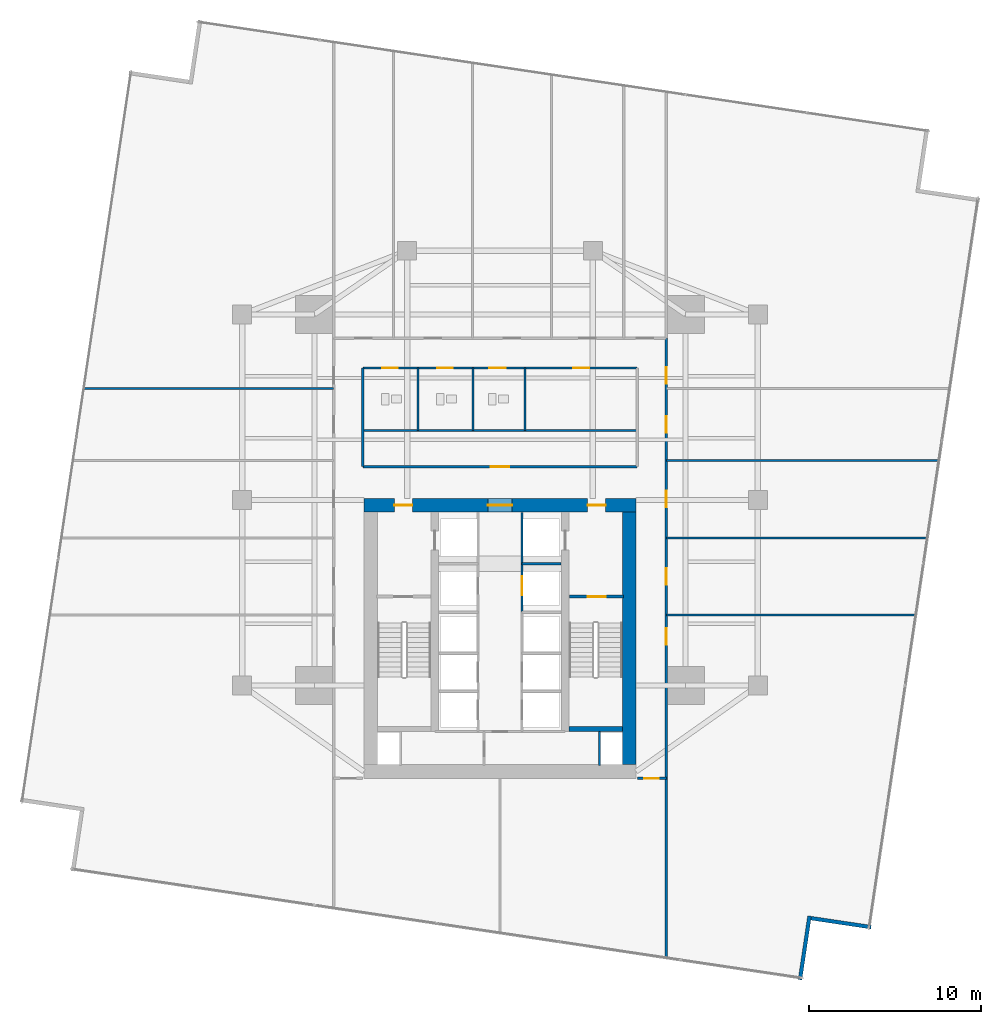
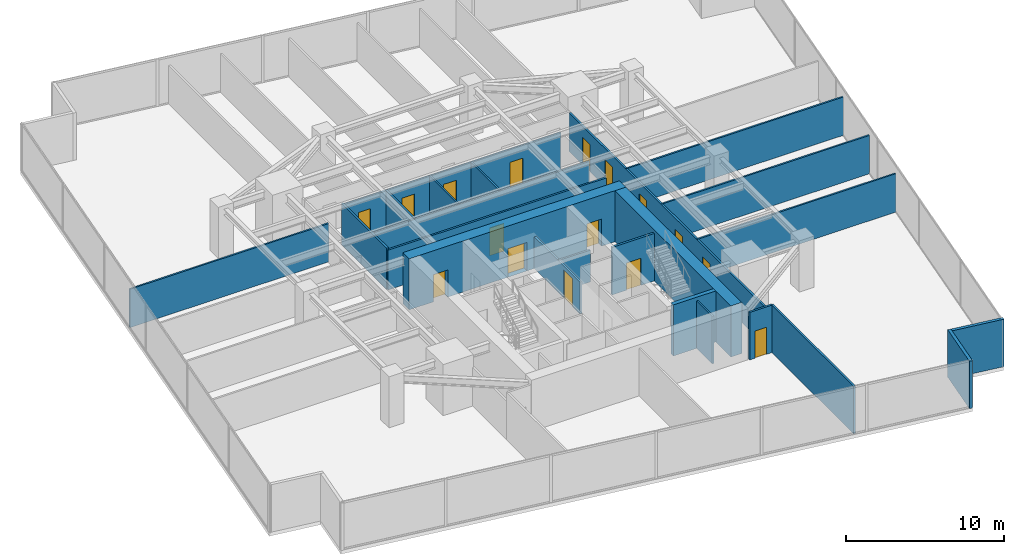
# One storey, part 26 of 29: 23 walls, 16 doors, 16 openings.
"""IFC4 building model written with IfcOpenShell, lengths in metres."""

from ifc_helpers import new_model, si_unit, direction, frame, frame_2d, origin, place, context, subcontext, project, spatial, rectangle, extrude, material, layer, layer_set, type_object, element, fill, save


model = new_model("IFC4")

# Units and contexts
model_context = context("Model", 3, precision=1e-05, world=origin(), true_north=direction((0.0, 1.0)))
body_context = subcontext(model_context, "Body", "Model", "MODEL_VIEW")
ifc_project = project(units=[si_unit("LENGTHUNIT", "METRE"), si_unit("AREAUNIT", "SQUARE_METRE"), si_unit("VOLUMEUNIT", "CUBIC_METRE"), si_unit("PLANEANGLEUNIT", "RADIAN"), si_unit("MASSUNIT", "GRAM", prefix="KILO")], contexts=[model_context])

# Site, building, storey
site_placement = place(None, origin())
site = spatial("IfcSite", under=ifc_project, at=site_placement, CompositionType="ELEMENT")
building_placement = place(site_placement, origin())
building = spatial("IfcBuilding", under=site, at=building_placement, Name="Krantzveldt Concourse Tower", CompositionType="ELEMENT")
storey_placement = place(building_placement, frame((0.0, 0.0, 68.449951171875)))
storey = spatial("IfcBuildingStorey", under=building, at=storey_placement, Name="L16", CompositionType="ELEMENT", Elevation=68.449951171875)

# Walls
ifc_material_1 = material(Name="Anodised aluminium 6063-T6", Category="aluminium")
ifc_layer_1 = layer(ifc_material_1, 0.219970703125, Name="Anodised aluminium 6063-T6", Category="aluminium")
ifc_layer_set_1 = layer_set([ifc_layer_1], Name="Anodised aluminium 6063-T6 (WL-EXT-NOTCH220)")
wall_type_1 = type_object("IfcWallType", Name="WL-EXT-NOTCH220", PredefinedType="ELEMENTEDWALL", material=ifc_layer_set_1)
wall_1_placement = place(storey_placement, frame((53.4560546875, -1.211669921875, 0.0), z_axis=(0.0, 0.0, 1.0), x_axis=(0.147852699435, 0.989009392913, 0.0)))
element("IfcWall", 1, at=wall_1_placement, inside=storey, type_object=wall_type_1, Name="EW-L16-NCH05", PredefinedType="ELEMENTEDWALL", context=body_context, shape_type="SweptSolid", body=[
    extrude(rectangle(XDim=3.7451171875, YDim=0.219970703125, at=frame_2d((1.87255859375, 0.0))), origin(), (0.0, 0.0, 1.0), 3.670166015625),
])
wall_2_placement = place(storey_placement, frame((54.102294921875, 2.366943359375, 0.0), z_axis=(0.0, 0.0, 1.0), x_axis=(0.989015973204, -0.147808676155, 0.0)))
element("IfcWall", 2, at=wall_2_placement, inside=storey, type_object=wall_type_1, Name="EW-L16-NCH06", PredefinedType="ELEMENTEDWALL", context=body_context, shape_type="SweptSolid", body=[
    extrude(rectangle(XDim=3.52490234375, YDim=0.219970703125, at=frame_2d((1.762451171875, 0.0))), origin(), (0.0, 0.0, 1.0), 3.670166015625),
])
ifc_material_2 = material(Name="Fire-rated gypsum plasterboard on steel stud", Category="steel")
ifc_layer_2 = layer(ifc_material_2, 0.1201171875, Name="Fire-rated gypsum plasterboard on steel stud", Category="steel")
ifc_layer_set_2 = layer_set([ifc_layer_2], Name="Fire-rated gypsum plasterboard on steel stud (WL-PART-120)")
wall_type_2 = type_object("IfcWallType", Name="WL-PART-120", PredefinedType="PARTITIONING", material=ifc_layer_set_2)
wall_3_placement = place(storey_placement, frame((28.02001953125, 30.739990234375, 0.0), z_axis=(0.0, 0.0, 1.0), x_axis=(1.0, 0.0, 0.0)))
element("IfcWall", 3, at=wall_3_placement, inside=storey, type_object=wall_type_2, Name="WP-L16-ISLM", PredefinedType="PARTITIONING", context=body_context, shape_type="SweptSolid", body=[
    extrude(rectangle(XDim=15.9599609375, YDim=0.1201171875, at=frame_2d((7.97998046875, 0.0))), origin(), (0.0, 0.0, 1.0), 3.080078125),
])
for number, where, z_axis, x_axis, name in (
    (4, (31.219970703125, 30.739990234375, 0.0), (0.0, 0.0, 1.0), (0.0, 1.0, 0.0), "WP-L16-WCD1"),
    (5, (34.419921875, 30.739990234375, 0.0), (0.0, 0.0, 1.0), (0.0, 1.0, 0.0), "WP-L16-WCD2"),
    (6, (37.449951171875, 30.739990234375, 0.0), (0.0, 0.0, 1.0), (0.0, 1.0, 0.0), "WP-L16-WCD3"),
):
    element("IfcWall", number, at=place(storey_placement, frame(where, z_axis=z_axis, x_axis=x_axis)), inside=storey, type_object=wall_type_2, Name=name, PredefinedType="PARTITIONING", context=body_context, shape_type="SweptSolid", body=[
        extrude(rectangle(XDim=3.639892578125, YDim=0.1201171875, at=frame_2d((1.81982421875, 0.0))), origin(), (0.0, 0.0, 1.0), 3.1201171875),
    ])
wall_4_placement = place(storey_placement, frame((11.784912109375, 33.199951171875, 0.0), z_axis=(0.0, 0.0, 1.0), x_axis=(1.0, 0.0, 0.0)))
element("IfcWall", 7, at=wall_4_placement, inside=storey, type_object=wall_type_2, Name="WP-L16-WD4", PredefinedType="PARTITIONING", context=body_context, shape_type="SweptSolid", body=[
    extrude(rectangle(XDim=14.53515625, YDim=0.1201171875, at=frame_2d((7.267578125, 0.0))), origin(), (0.0, 0.0, 1.0), 2.969970703125),
])
wall_5_placement = place(storey_placement, frame((45.679931640625, 20.0, 0.0), z_axis=(0.0, 0.0, 1.0), x_axis=(1.0, 0.0, 0.0)))
element("IfcWall", 8, at=wall_5_placement, inside=storey, type_object=wall_type_2, Name="WP-L16-ED1", PredefinedType="PARTITIONING", context=body_context, shape_type="SweptSolid", body=[
    extrude(rectangle(XDim=14.50537109375, YDim=0.1201171875, at=frame_2d((7.252685546875, 0.0))), origin(), (0.0, 0.0, 1.0), 2.969970703125),
])
wall_6_placement = place(storey_placement, frame((45.679931640625, 24.5, 0.0), z_axis=(0.0, 0.0, 1.0), x_axis=(1.0, 0.0, 0.0)))
element("IfcWall", 9, at=wall_6_placement, inside=storey, type_object=wall_type_2, Name="WP-L16-ED2", PredefinedType="PARTITIONING", context=body_context, shape_type="SweptSolid", body=[
    extrude(rectangle(XDim=15.177978515625, YDim=0.1201171875, at=frame_2d((7.5888671875, 0.0))), origin(), (0.0, 0.0, 1.0), 2.969970703125),
])
wall_7_placement = place(storey_placement, frame((45.679931640625, 29.0, 0.0), z_axis=(0.0, 0.0, 1.0), x_axis=(1.0, 0.0, 0.0)))
element("IfcWall", 10, at=wall_7_placement, inside=storey, type_object=wall_type_2, Name="WP-L16-ED3", PredefinedType="PARTITIONING", context=body_context, shape_type="SweptSolid", body=[
    extrude(rectangle(XDim=15.8505859375, YDim=0.1201171875, at=frame_2d((7.92529296875, 0.0))), origin(), (0.0, 0.0, 1.0), 2.969970703125),
])

# Wall, opening, door
ifc_layer_3 = layer(ifc_material_2, 0.139892578125, Name="Fire-rated gypsum plasterboard on steel stud", Category="steel")
ifc_layer_set_3 = layer_set([ifc_layer_3], Name="Fire-rated gypsum plasterboard on steel stud (WL-PART-140)")
wall_type_3 = type_object("IfcWallType", Name="WL-PART-140", PredefinedType="PARTITIONING", material=ifc_layer_set_3)
wall_8_placement = place(storey_placement, frame((28.02001953125, 28.639892578125, 0.0), z_axis=(0.0, 0.0, 1.0), x_axis=(1.0, 0.0, 0.0)))
wall_8 = element("IfcWall", 11, at=wall_8_placement, inside=storey, type_object=wall_type_3, Name="WP-L16-ISLS", PredefinedType="PARTITIONING", context=body_context, shape_type="SweptSolid", body=[
    extrude(rectangle(XDim=15.9599609375, YDim=0.139892578125, at=frame_2d((7.97998046875, 0.0))), origin(), (0.0, 0.0, 1.0), 3.080078125),
])
opening_1_placement = place(wall_8_placement, frame((7.455078125, 0.0, 0.0)))
opening_1 = element("IfcOpeningElement", 12, at=opening_1_placement, cuts=wall_8, Name="Opening D-IN105", PredefinedType="OPENING", context=body_context, shape_type="SweptSolid", body=[
    extrude(rectangle(XDim=1.050048828125, YDim=2.14990234375, at=frame_2d((0.52490234375, 1.074951171875))), frame((0.0, 0.080078125, 0.0), z_axis=(0.0, -1.0, 0.0), x_axis=(1.0, 0.0, 0.0)), (0.0, 0.0, 1.0), 0.159912109375),
])
ifc_material_3 = material(Name="Hardwood timber", Category="wood")
door_type_1 = type_object("IfcDoorType", Name="DR-INT-1050", OperationType="SINGLE_SWING_LEFT", PredefinedType="DOOR", material=ifc_material_3)
door_1_placement = place(opening_1_placement, origin())
door_1 = element("IfcDoor", 13, at=door_1_placement, inside=storey, type_object=door_type_1, Name="DR-L16-MIDB", OperationType="SINGLE_SWING_LEFT", OverallHeight=2.14990234375, OverallWidth=1.050048828125, PredefinedType="DOOR", context=body_context, shape_type="SweptSolid", body=[
    extrude(rectangle(XDim=1.050048828125, YDim=2.14990234375, at=frame_2d((0.52490234375, 1.074951171875))), frame((0.0, 0.02490234375, 0.0), z_axis=(0.0, -1.0, 0.0), x_axis=(1.0, 0.0, 0.0)), (0.0, 0.0, 1.0), 0.050048828125),
])
fill(opening_1, door_1)

# Wall, openings, doors
wall_9_placement = place(storey_placement, frame((28.02001953125, 34.3798828125, 0.0), z_axis=(0.0, 0.0, 1.0), x_axis=(1.0, 0.0, 0.0)))
wall_9 = element("IfcWall", 14, at=wall_9_placement, inside=storey, type_object=wall_type_3, Name="WP-L16-ISLN", PredefinedType="PARTITIONING", context=body_context, shape_type="SweptSolid", body=[
    extrude(rectangle(XDim=15.9599609375, YDim=0.139892578125, at=frame_2d((7.97998046875, 0.0))), origin(), (0.0, 0.0, 1.0), 3.080078125),
])
opening_2_placement = place(wall_9_placement, frame((1.1298828125, 0.0, 0.0)))
opening_2 = element("IfcOpeningElement", 15, at=opening_2_placement, cuts=wall_9, Name="Opening D-IN090", PredefinedType="OPENING", context=body_context, shape_type="SweptSolid", body=[
    extrude(rectangle(XDim=0.89990234375, YDim=2.10009765625, at=frame_2d((0.449951171875, 1.050048828125))), frame((0.0, 0.080078125, 0.0), z_axis=(0.0, -1.0, 0.0), x_axis=(1.0, 0.0, 0.0)), (0.0, 0.0, 1.0), 0.159912109375),
])
opening_3_placement = place(wall_9_placement, frame((4.330078125, 0.0, 0.0)))
opening_3 = element("IfcOpeningElement", 16, at=opening_3_placement, cuts=wall_9, Name="Opening D-IN090", PredefinedType="OPENING", context=body_context, shape_type="SweptSolid", body=[
    extrude(rectangle(XDim=0.89990234375, YDim=2.10009765625, at=frame_2d((0.449951171875, 1.050048828125))), frame((0.0, 0.080078125, 0.0), z_axis=(0.0, -1.0, 0.0), x_axis=(1.0, 0.0, 0.0)), (0.0, 0.0, 1.0), 0.159912109375),
])
opening_4_placement = place(wall_9_placement, frame((7.35498046875, 0.0, 0.0)))
opening_4 = element("IfcOpeningElement", 17, at=opening_4_placement, cuts=wall_9, Name="Opening D-IN095", PredefinedType="OPENING", context=body_context, shape_type="SweptSolid", body=[
    extrude(rectangle(XDim=0.949951171875, YDim=2.10009765625, at=frame_2d((0.47509765625, 1.050048828125))), frame((0.0, 0.080078125, 0.0), z_axis=(0.0, -1.0, 0.0), x_axis=(1.0, 0.0, 0.0)), (0.0, 0.0, 1.0), 0.159912109375),
])
opening_5_placement = place(wall_9_placement, frame((12.22998046875, 0.0, 0.0)))
opening_5 = element("IfcOpeningElement", 18, at=opening_5_placement, cuts=wall_9, Name="Opening D-IN095", PredefinedType="OPENING", context=body_context, shape_type="SweptSolid", body=[
    extrude(rectangle(XDim=0.949951171875, YDim=2.10009765625, at=frame_2d((0.47509765625, 1.050048828125))), frame((0.0, 0.080078125, 0.0), z_axis=(0.0, -1.0, 0.0), x_axis=(1.0, 0.0, 0.0)), (0.0, 0.0, 1.0), 0.159912109375),
])
door_type_2 = type_object("IfcDoorType", Name="DR-INT-900", OperationType="SINGLE_SWING_LEFT", PredefinedType="DOOR", material=ifc_material_3)
door_2_placement = place(opening_2_placement, origin())
door_2 = element("IfcDoor", 19, at=door_2_placement, inside=storey, type_object=door_type_2, Name="DR-L16-WCM", OperationType="SINGLE_SWING_LEFT", OverallHeight=2.10009765625, OverallWidth=0.89990234375, PredefinedType="DOOR", context=body_context, shape_type="SweptSolid", body=[
    extrude(rectangle(XDim=0.89990234375, YDim=2.10009765625, at=frame_2d((0.449951171875, 1.050048828125))), frame((0.0, 0.02490234375, 0.0), z_axis=(0.0, -1.0, 0.0), x_axis=(1.0, 0.0, 0.0)), (0.0, 0.0, 1.0), 0.050048828125),
])
fill(opening_2, door_2)
door_3_placement = place(opening_3_placement, origin())
door_3 = element("IfcDoor", 20, at=door_3_placement, inside=storey, type_object=door_type_2, Name="DR-L16-WCF", OperationType="SINGLE_SWING_RIGHT", OverallHeight=2.10009765625, OverallWidth=0.89990234375, PredefinedType="DOOR", context=body_context, shape_type="SweptSolid", body=[
    extrude(rectangle(XDim=0.89990234375, YDim=2.10009765625, at=frame_2d((0.449951171875, 1.050048828125))), frame((0.0, 0.02490234375, 0.0), z_axis=(0.0, -1.0, 0.0), x_axis=(1.0, 0.0, 0.0)), (0.0, 0.0, 1.0), 0.050048828125),
])
fill(opening_3, door_3)
door_type_3 = type_object("IfcDoorType", Name="DR-INT-950", OperationType="SINGLE_SWING_LEFT", PredefinedType="DOOR", material=ifc_material_3)
door_4_placement = place(opening_4_placement, origin())
door_4 = element("IfcDoor", 21, at=door_4_placement, inside=storey, type_object=door_type_3, Name="DR-L16-WCA", OperationType="SINGLE_SWING_LEFT", OverallHeight=2.10009765625, OverallWidth=0.949951171875, PredefinedType="DOOR", context=body_context, shape_type="SweptSolid", body=[
    extrude(rectangle(XDim=0.949951171875, YDim=2.10009765625, at=frame_2d((0.47509765625, 1.050048828125))), frame((0.0, 0.02490234375, 0.0), z_axis=(0.0, -1.0, 0.0), x_axis=(1.0, 0.0, 0.0)), (0.0, 0.0, 1.0), 0.050048828125),
])
fill(opening_4, door_4)
door_5_placement = place(opening_5_placement, origin())
door_5 = element("IfcDoor", 22, at=door_5_placement, inside=storey, type_object=door_type_3, Name="DR-L16-PNT", OperationType="SINGLE_SWING_RIGHT", OverallHeight=2.10009765625, OverallWidth=0.949951171875, PredefinedType="DOOR", context=body_context, shape_type="SweptSolid", body=[
    extrude(rectangle(XDim=0.949951171875, YDim=2.10009765625, at=frame_2d((0.47509765625, 1.050048828125))), frame((0.0, 0.02490234375, 0.0), z_axis=(0.0, -1.0, 0.0), x_axis=(1.0, 0.0, 0.0)), (0.0, 0.0, 1.0), 0.050048828125),
])
fill(opening_5, door_5)

# Wall
wall_10_placement = place(storey_placement, frame((28.02001953125, 28.639892578125, 0.0), z_axis=(0.0, 0.0, 1.0), x_axis=(0.0, 1.0, 0.0)))
element("IfcWall", 23, at=wall_10_placement, inside=storey, type_object=wall_type_3, Name="WP-L16-ISLW", PredefinedType="PARTITIONING", context=body_context, shape_type="SweptSolid", body=[
    extrude(rectangle(XDim=5.739990234375, YDim=0.139892578125, at=frame_2d((2.8701171875, 0.0))), origin(), (0.0, 0.0, 1.0), 3.219970703125),
])

# Wall, openings, doors
wall_11_placement = place(storey_placement, frame((45.679931640625, 10.5, 0.0), z_axis=(0.0, 0.0, 1.0), x_axis=(0.0, 1.0, 0.0)))
wall_11 = element("IfcWall", 24, at=wall_11_placement, inside=storey, type_object=wall_type_3, Name="WP-L16-CEAST", PredefinedType="PARTITIONING", context=body_context, shape_type="SweptSolid", body=[
    extrude(rectangle(XDim=25.6201171875, YDim=0.139892578125, at=frame_2d((12.81005859375, 0.0))), origin(), (0.0, 0.0, 1.0), 2.969970703125),
])
opening_6_placement = place(wall_11_placement, frame((7.77490234375, 0.0, 0.0)))
opening_6 = element("IfcOpeningElement", 25, at=opening_6_placement, cuts=wall_11, Name="Opening D-IN095", PredefinedType="OPENING", context=body_context, shape_type="SweptSolid", body=[
    extrude(rectangle(XDim=0.949951171875, YDim=2.10009765625, at=frame_2d((0.47509765625, 1.050048828125))), frame((0.0, 0.080078125, 0.0), z_axis=(0.0, -1.0, 0.0), x_axis=(1.0, 0.0, 0.0)), (0.0, 0.0, 1.0), 0.159912109375),
])
opening_7_placement = place(wall_11_placement, frame((11.27490234375, 0.0, 0.0)))
opening_7 = element("IfcOpeningElement", 26, at=opening_7_placement, cuts=wall_11, Name="Opening D-IN095", PredefinedType="OPENING", context=body_context, shape_type="SweptSolid", body=[
    extrude(rectangle(XDim=0.949951171875, YDim=2.10009765625, at=frame_2d((0.47509765625, 1.050048828125))), frame((0.0, 0.080078125, 0.0), z_axis=(0.0, -1.0, 0.0), x_axis=(1.0, 0.0, 0.0)), (0.0, 0.0, 1.0), 0.159912109375),
])
opening_8_placement = place(wall_11_placement, frame((15.77490234375, 0.0, 0.0)))
opening_8 = element("IfcOpeningElement", 27, at=opening_8_placement, cuts=wall_11, Name="Opening D-IN095", PredefinedType="OPENING", context=body_context, shape_type="SweptSolid", body=[
    extrude(rectangle(XDim=0.949951171875, YDim=2.10009765625, at=frame_2d((0.47509765625, 1.050048828125))), frame((0.0, 0.080078125, 0.0), z_axis=(0.0, -1.0, 0.0), x_axis=(1.0, 0.0, 0.0)), (0.0, 0.0, 1.0), 0.159912109375),
])
opening_9_placement = place(wall_11_placement, frame((20.125, 0.0, 0.0)))
opening_9 = element("IfcOpeningElement", 28, at=opening_9_placement, cuts=wall_11, Name="Opening D-IN095", PredefinedType="OPENING", context=body_context, shape_type="SweptSolid", body=[
    extrude(rectangle(XDim=0.949951171875, YDim=2.10009765625, at=frame_2d((0.47509765625, 1.050048828125))), frame((0.0, 0.080078125, 0.0), z_axis=(0.0, -1.0, 0.0), x_axis=(1.0, 0.0, 0.0)), (0.0, 0.0, 1.0), 0.159912109375),
])
opening_10_placement = place(wall_11_placement, frame((22.97509765625, 0.0, 0.0)))
opening_10 = element("IfcOpeningElement", 29, at=opening_10_placement, cuts=wall_11, Name="Opening D-IN095", PredefinedType="OPENING", context=body_context, shape_type="SweptSolid", body=[
    extrude(rectangle(XDim=0.949951171875, YDim=2.10009765625, at=frame_2d((0.47509765625, 1.050048828125))), frame((0.0, 0.080078125, 0.0), z_axis=(0.0, -1.0, 0.0), x_axis=(1.0, 0.0, 0.0)), (0.0, 0.0, 1.0), 0.159912109375),
])
door_6_placement = place(opening_6_placement, origin())
door_6 = element("IfcDoor", 30, at=door_6_placement, inside=storey, type_object=door_type_3, Name="DR-L16-ER1", OperationType="SINGLE_SWING_LEFT", OverallHeight=2.10009765625, OverallWidth=0.949951171875, PredefinedType="DOOR", context=body_context, shape_type="SweptSolid", body=[
    extrude(rectangle(XDim=0.949951171875, YDim=2.10009765625, at=frame_2d((0.47509765625, 1.050048828125))), frame((0.0, 0.02490234375, 0.0), z_axis=(0.0, -1.0, 0.0), x_axis=(1.0, 0.0, 0.0)), (0.0, 0.0, 1.0), 0.050048828125),
])
fill(opening_6, door_6)
door_7_placement = place(opening_7_placement, origin())
door_7 = element("IfcDoor", 31, at=door_7_placement, inside=storey, type_object=door_type_3, Name="DR-L16-ER2", OperationType="SINGLE_SWING_LEFT", OverallHeight=2.10009765625, OverallWidth=0.949951171875, PredefinedType="DOOR", context=body_context, shape_type="SweptSolid", body=[
    extrude(rectangle(XDim=0.949951171875, YDim=2.10009765625, at=frame_2d((0.47509765625, 1.050048828125))), frame((0.0, 0.02490234375, 0.0), z_axis=(0.0, -1.0, 0.0), x_axis=(1.0, 0.0, 0.0)), (0.0, 0.0, 1.0), 0.050048828125),
])
fill(opening_7, door_7)
door_8_placement = place(opening_8_placement, origin())
door_8 = element("IfcDoor", 32, at=door_8_placement, inside=storey, type_object=door_type_3, Name="DR-L16-ER3", OperationType="SINGLE_SWING_LEFT", OverallHeight=2.10009765625, OverallWidth=0.949951171875, PredefinedType="DOOR", context=body_context, shape_type="SweptSolid", body=[
    extrude(rectangle(XDim=0.949951171875, YDim=2.10009765625, at=frame_2d((0.47509765625, 1.050048828125))), frame((0.0, 0.02490234375, 0.0), z_axis=(0.0, -1.0, 0.0), x_axis=(1.0, 0.0, 0.0)), (0.0, 0.0, 1.0), 0.050048828125),
])
fill(opening_8, door_8)
door_9_placement = place(opening_9_placement, origin())
door_9 = element("IfcDoor", 33, at=door_9_placement, inside=storey, type_object=door_type_3, Name="DR-L16-ER4", OperationType="SINGLE_SWING_LEFT", OverallHeight=2.10009765625, OverallWidth=0.949951171875, PredefinedType="DOOR", context=body_context, shape_type="SweptSolid", body=[
    extrude(rectangle(XDim=0.949951171875, YDim=2.10009765625, at=frame_2d((0.47509765625, 1.050048828125))), frame((0.0, 0.02490234375, 0.0), z_axis=(0.0, -1.0, 0.0), x_axis=(1.0, 0.0, 0.0)), (0.0, 0.0, 1.0), 0.050048828125),
])
fill(opening_9, door_9)
door_10_placement = place(opening_10_placement, origin())
door_10 = element("IfcDoor", 34, at=door_10_placement, inside=storey, type_object=door_type_3, Name="DR-L16-ER5", OperationType="SINGLE_SWING_LEFT", OverallHeight=2.10009765625, OverallWidth=0.949951171875, PredefinedType="DOOR", context=body_context, shape_type="SweptSolid", body=[
    extrude(rectangle(XDim=0.949951171875, YDim=2.10009765625, at=frame_2d((0.47509765625, 1.050048828125))), frame((0.0, 0.02490234375, 0.0), z_axis=(0.0, -1.0, 0.0), x_axis=(1.0, 0.0, 0.0)), (0.0, 0.0, 1.0), 0.050048828125),
])
fill(opening_10, door_10)

# Wall, opening, door
wall_12_placement = place(storey_placement, frame((44.0, 10.5, 0.0), z_axis=(0.0, 0.0, 1.0), x_axis=(1.0, 0.0, 0.0)))
wall_12 = element("IfcWall", 35, at=wall_12_placement, inside=storey, type_object=wall_type_3, Name="WP-L16-CEBOT", PredefinedType="PARTITIONING", context=body_context, shape_type="SweptSolid", body=[
    extrude(rectangle(XDim=1.679931640625, YDim=0.139892578125, at=frame_2d((0.83984375, 0.0))), origin(), (0.0, 0.0, 1.0), 3.670166015625),
])
opening_11_placement = place(wall_12_placement, frame((0.385009765625, 0.0, 0.0)))
opening_11 = element("IfcOpeningElement", 36, at=opening_11_placement, cuts=wall_12, Name="Opening D-IN085", PredefinedType="OPENING", context=body_context, shape_type="SweptSolid", body=[
    extrude(rectangle(XDim=0.85009765625, YDim=2.10009765625, at=frame_2d((0.425048828125, 1.050048828125))), frame((0.0, 0.080078125, 0.0), z_axis=(0.0, -1.0, 0.0), x_axis=(1.0, 0.0, 0.0)), (0.0, 0.0, 1.0), 0.159912109375),
])
door_type_4 = type_object("IfcDoorType", Name="DR-INT-850", OperationType="SINGLE_SWING_LEFT", PredefinedType="DOOR", material=ifc_material_3)
door_11_placement = place(opening_11_placement, origin())
door_11 = element("IfcDoor", 37, at=door_11_placement, inside=storey, type_object=door_type_4, Name="DR-L16-SR2", OperationType="SINGLE_SWING_LEFT", OverallHeight=2.10009765625, OverallWidth=0.85009765625, PredefinedType="DOOR", context=body_context, shape_type="SweptSolid", body=[
    extrude(rectangle(XDim=0.85009765625, YDim=2.10009765625, at=frame_2d((0.425048828125, 1.050048828125))), frame((0.0, 0.02490234375, 0.0), z_axis=(0.0, -1.0, 0.0), x_axis=(1.0, 0.0, 0.0)), (0.0, 0.0, 1.0), 0.050048828125),
])
fill(opening_11, door_11)

# Wall
wall_13_placement = place(storey_placement, frame((45.679931640625, 0.066650390625, 0.0), z_axis=(0.0, 0.0, 1.0), x_axis=(0.0, 1.0, 0.0)))
element("IfcWall", 38, at=wall_13_placement, inside=storey, type_object=wall_type_3, Name="WP-L16-SER", PredefinedType="PARTITIONING", context=body_context, shape_type="SweptSolid", body=[
    extrude(rectangle(XDim=10.433349609375, YDim=0.139892578125, at=frame_2d((5.216796875, 0.0))), origin(), (0.0, 0.0, 1.0), 3.670166015625),
])

# Wall, opening, door
ifc_layer_4 = layer(ifc_material_2, 0.139892578125, Name="Fire-rated gypsum plasterboard on steel stud", Category="steel")
ifc_layer_set_4 = layer_set([ifc_layer_4], Name="Fire-rated gypsum plasterboard on steel stud (WL-PART-FR140)")
wall_type_4 = type_object("IfcWallType", Name="WL-PART-FR140", PredefinedType="PARTITIONING", material=ifc_layer_set_4)
wall_14_placement = place(storey_placement, frame((37.280029296875, 20.199951171875, 0.0), z_axis=(0.0, 0.0, 1.0), x_axis=(0.0, 1.0, 0.0)))
wall_14 = element("IfcWall", 39, at=wall_14_placement, inside=storey, type_object=wall_type_4, Name="WP-L16-SHNE", PredefinedType="PARTITIONING", context=body_context, shape_type="SweptSolid", body=[
    extrude(rectangle(XDim=5.780029296875, YDim=0.139892578125, at=frame_2d((2.89013671875, 0.0))), origin(), (0.0, 0.0, 1.0), 2.469970703125),
])
opening_12_placement = place(wall_14_placement, frame((0.949951171875, 0.0, 0.0)))
opening_12 = element("IfcOpeningElement", 40, at=opening_12_placement, cuts=wall_14, Name="Opening LD", PredefinedType="OPENING", context=body_context, shape_type="SweptSolid", body=[
    extrude(rectangle(XDim=1.10009765625, YDim=2.14990234375, at=frame_2d((0.550048828125, 1.074951171875))), frame((0.0, 0.080078125, 0.0), z_axis=(0.0, -1.0, 0.0), x_axis=(1.0, 0.0, 0.0)), (0.0, 0.0, 1.0), 0.159912109375),
])
ifc_material_4 = material(Name="Stainless steel 316L", Category="steel")
door_type_5 = type_object("IfcDoorType", Name="DR-SLIDE-LD1100", OperationType="DOUBLE_DOOR_SLIDING", PredefinedType="DOOR", material=ifc_material_4)
door_12_placement = place(opening_12_placement, origin())
door_12 = element("IfcDoor", 41, at=door_12_placement, inside=storey, type_object=door_type_5, Name="LD-L16-GL1", OperationType="DOUBLE_DOOR_SLIDING", OverallHeight=2.14990234375, OverallWidth=1.10009765625, PredefinedType="DOOR", context=body_context, shape_type="SweptSolid", body=[
    extrude(rectangle(XDim=1.10009765625, YDim=2.14990234375, at=frame_2d((0.550048828125, 1.074951171875))), frame((0.0, 0.02490234375, 0.0), z_axis=(0.0, -1.0, 0.0), x_axis=(1.0, 0.0, 0.0)), (0.0, 0.0, 1.0), 0.050048828125),
])
fill(opening_12, door_12)

# Walls
wall_15_placement = place(storey_placement, frame((37.280029296875, 23.0, 0.0), z_axis=(0.0, 0.0, 1.0), x_axis=(1.0, 0.0, 0.0)))
element("IfcWall", 42, at=wall_15_placement, inside=storey, type_object=wall_type_4, Name="WP-L16-GLH", PredefinedType="PARTITIONING", context=body_context, shape_type="SweptSolid", body=[
    extrude(rectangle(XDim=2.27001953125, YDim=0.139892578125, at=frame_2d((1.135009765625, 0.0))), origin(), (0.0, 0.0, 1.0), 2.469970703125),
])
wall_16_placement = place(storey_placement, frame((41.780029296875, 11.25, 0.0), z_axis=(0.0, 0.0, 1.0), x_axis=(0.0, 1.0, 0.0)))
element("IfcWall", 43, at=wall_16_placement, inside=storey, type_object=wall_type_4, Name="WP-L16-RSE", PredefinedType="PARTITIONING", context=body_context, shape_type="SweptSolid", body=[
    extrude(rectangle(XDim=1.969970703125, YDim=0.1201171875, at=frame_2d((0.98486328125, 0.0))), origin(), (0.0, 0.0, 1.0), 3.670166015625),
])

# Wall, opening, door
ifc_layer_5 = layer(ifc_material_2, 0.159912109375, Name="Fire-rated gypsum plasterboard on steel stud", Category="steel")
ifc_layer_set_5 = layer_set([ifc_layer_5], Name="Fire-rated gypsum plasterboard on steel stud (WL-PART-FR160)")
wall_type_5 = type_object("IfcWallType", Name="WL-PART-FR160", PredefinedType="PARTITIONING", material=ifc_layer_set_5)
wall_17_placement = place(storey_placement, frame((40.0400390625, 21.080078125, 0.0), z_axis=(0.0, 0.0, 1.0), x_axis=(1.0, 0.0, 0.0)))
wall_17 = element("IfcWall", 44, at=wall_17_placement, inside=storey, type_object=wall_type_5, Name="WP-L16-ST2", PredefinedType="PARTITIONING", context=body_context, shape_type="SweptSolid", body=[
    extrude(rectangle(XDim=3.159912109375, YDim=0.159912109375, at=frame_2d((1.580078125, 0.0))), origin(), (0.0, 0.0, 1.0), 3.670166015625),
])
opening_13_placement = place(wall_17_placement, frame((1.054931640625, 0.0, 0.0)))
opening_13 = element("IfcOpeningElement", 45, at=opening_13_placement, cuts=wall_17, Name="Opening D-FD105", PredefinedType="OPENING", context=body_context, shape_type="SweptSolid", body=[
    extrude(rectangle(XDim=1.050048828125, YDim=2.10009765625, at=frame_2d((0.52490234375, 1.050048828125))), frame((0.0, 0.08984375, 0.0), z_axis=(0.0, -1.0, 0.0), x_axis=(1.0, 0.0, 0.0)), (0.0, 0.0, 1.0), 0.179931640625),
])
ifc_material_5 = material(Name="Galvanised steel", Category="steel")
door_type_6 = type_object("IfcDoorType", Name="DR-FD120-1050", OperationType="SINGLE_SWING_LEFT", PredefinedType="DOOR", material=ifc_material_5)
door_13_placement = place(opening_13_placement, origin())
door_13 = element("IfcDoor", 46, at=door_13_placement, inside=storey, type_object=door_type_6, Name="DR-L16-ST2", OperationType="SINGLE_SWING_LEFT", OverallHeight=2.10009765625, OverallWidth=1.050048828125, PredefinedType="DOOR", context=body_context, shape_type="SweptSolid", body=[
    extrude(rectangle(XDim=1.050048828125, YDim=2.10009765625, at=frame_2d((0.52490234375, 1.050048828125))), frame((0.0, 0.02490234375, 0.0), z_axis=(0.0, -1.0, 0.0), x_axis=(1.0, 0.0, 0.0)), (0.0, 0.0, 1.0), 0.050048828125),
])
fill(opening_13, door_13)

# Wall
ifc_material_6 = material(Name="Concrete C50/60", Category="concrete")
ifc_layer_6 = layer(ifc_material_6, 0.300048828125, Name="Concrete C50/60", Category="concrete")
ifc_layer_set_6 = layer_set([ifc_layer_6], Name="Concrete C50/60 (WL-SHEAR-300)")
wall_type_6 = type_object("IfcWallType", Name="WL-SHEAR-300", PredefinedType="SHEAR", material=ifc_layer_set_6)
wall_18_placement = place(storey_placement, frame((40.02001953125, 13.3701171875, 0.0), z_axis=(0.0, 0.0, 1.0), x_axis=(1.0, 0.0, 0.0)))
element("IfcWall", 47, at=wall_18_placement, inside=storey, type_object=wall_type_6, Name="CW-L16-ST2S", PredefinedType="SHEAR", context=body_context, shape_type="SweptSolid", body=[
    extrude(rectangle(XDim=3.10009765625, YDim=0.300048828125, at=frame_2d((1.550048828125, 0.0))), origin(), (0.0, 0.0, 1.0), 3.949951171875),
])

# Wall, openings, doors
ifc_material_7 = material(Name="Concrete C60/75", Category="concrete")
ifc_layer_7 = layer(ifc_material_7, 0.800048828125, Name="Concrete C60/75", Category="concrete")
ifc_layer_set_7 = layer_set([ifc_layer_7], Name="Concrete C60/75 (WL-SHEAR-800)")
wall_type_7 = type_object("IfcWallType", Name="WL-SHEAR-800", PredefinedType="SHEAR", material=ifc_layer_set_7)
wall_19_placement = place(storey_placement, frame((28.080078125, 26.39990234375, 0.0), z_axis=(0.0, 0.0, 1.0), x_axis=(1.0, 0.0, 0.0)))
wall_19 = element("IfcWall", 48, at=wall_19_placement, inside=storey, type_object=wall_type_7, Name="CW-L16-N", PredefinedType="SHEAR", context=body_context, shape_type="SweptSolid", body=[
    extrude(rectangle(XDim=15.83984375, YDim=0.800048828125, at=frame_2d((7.919921875, 0.0))), origin(), (0.0, 0.0, 1.0), 3.949951171875),
])
opening_14_placement = place(wall_19_placement, frame((7.219970703125, 0.0, 0.0)))
opening_14 = element("IfcOpeningElement", 49, at=opening_14_placement, cuts=wall_19, Name="Opening D-DB140", PredefinedType="OPENING", context=body_context, shape_type="SweptSolid", body=[
    extrude(rectangle(XDim=1.39990234375, YDim=2.199951171875, at=frame_2d((0.699951171875, 1.10009765625))), frame((0.0, 0.41015625, 0.0), z_axis=(0.0, -1.0, 0.0), x_axis=(1.0, 0.0, 0.0)), (0.0, 0.0, 1.0), 0.820068359375),
])
opening_15_placement = place(wall_19_placement, frame((1.77490234375, 0.0, 0.0)))
opening_15 = element("IfcOpeningElement", 50, at=opening_15_placement, cuts=wall_19, Name="Opening D-FD105", PredefinedType="OPENING", context=body_context, shape_type="SweptSolid", body=[
    extrude(rectangle(XDim=1.050048828125, YDim=2.10009765625, at=frame_2d((0.52490234375, 1.050048828125))), frame((0.0, 0.41015625, 0.0), z_axis=(0.0, -1.0, 0.0), x_axis=(1.0, 0.0, 0.0)), (0.0, 0.0, 1.0), 0.820068359375),
])
opening_16_placement = place(wall_19_placement, frame((13.014892578125, 0.0, 0.0)))
opening_16 = element("IfcOpeningElement", 51, at=opening_16_placement, cuts=wall_19, Name="Opening D-FD105", PredefinedType="OPENING", context=body_context, shape_type="SweptSolid", body=[
    extrude(rectangle(XDim=1.050048828125, YDim=2.10009765625, at=frame_2d((0.52490234375, 1.050048828125))), frame((0.0, 0.41015625, 0.0), z_axis=(0.0, -1.0, 0.0), x_axis=(1.0, 0.0, 0.0)), (0.0, 0.0, 1.0), 0.820068359375),
])
door_type_7 = type_object("IfcDoorType", Name="DR-DBL-1400", OperationType="DOUBLE_DOOR_SINGLE_SWING", PredefinedType="DOOR", material=ifc_material_1)
door_14_placement = place(opening_14_placement, origin())
door_14 = element("IfcDoor", 52, at=door_14_placement, inside=storey, type_object=door_type_7, Name="DR-L16-LLB", OperationType="DOUBLE_DOOR_SINGLE_SWING", OverallHeight=2.199951171875, OverallWidth=1.39990234375, PredefinedType="DOOR", context=body_context, shape_type="SweptSolid", body=[
    extrude(rectangle(XDim=1.39990234375, YDim=2.199951171875, at=frame_2d((0.699951171875, 1.10009765625))), frame((0.0, 0.02490234375, 0.0), z_axis=(0.0, -1.0, 0.0), x_axis=(1.0, 0.0, 0.0)), (0.0, 0.0, 1.0), 0.050048828125),
])
fill(opening_14, door_14)
door_15_placement = place(opening_15_placement, origin())
door_15 = element("IfcDoor", 53, at=door_15_placement, inside=storey, type_object=door_type_6, Name="DR-L16-FFL1", OperationType="SINGLE_SWING_LEFT", OverallHeight=2.10009765625, OverallWidth=1.050048828125, PredefinedType="DOOR", context=body_context, shape_type="SweptSolid", body=[
    extrude(rectangle(XDim=1.050048828125, YDim=2.10009765625, at=frame_2d((0.52490234375, 1.050048828125))), frame((0.0, 0.02490234375, 0.0), z_axis=(0.0, -1.0, 0.0), x_axis=(1.0, 0.0, 0.0)), (0.0, 0.0, 1.0), 0.050048828125),
])
fill(opening_15, door_15)
door_16_placement = place(opening_16_placement, origin())
door_16 = element("IfcDoor", 54, at=door_16_placement, inside=storey, type_object=door_type_6, Name="DR-L16-FFL2", OperationType="SINGLE_SWING_RIGHT", OverallHeight=2.10009765625, OverallWidth=1.050048828125, PredefinedType="DOOR", context=body_context, shape_type="SweptSolid", body=[
    extrude(rectangle(XDim=1.050048828125, YDim=2.10009765625, at=frame_2d((0.52490234375, 1.050048828125))), frame((0.0, 0.02490234375, 0.0), z_axis=(0.0, -1.0, 0.0), x_axis=(1.0, 0.0, 0.0)), (0.0, 0.0, 1.0), 0.050048828125),
])
fill(opening_16, door_16)

# Wall
wall_20_placement = place(storey_placement, frame((43.52001953125, 11.300048828125, 0.0), z_axis=(0.0, 0.0, 1.0), x_axis=(0.0, 1.0, 0.0)))
element("IfcWall", 55, at=wall_20_placement, inside=storey, type_object=wall_type_7, Name="CW-L16-E", PredefinedType="SHEAR", context=body_context, shape_type="SweptSolid", body=[
    extrude(rectangle(XDim=14.699951171875, YDim=0.800048828125, at=frame_2d((7.35009765625, 0.0))), origin(), (0.0, 0.0, 1.0), 3.949951171875),
])

save(model, "model.ifc")
